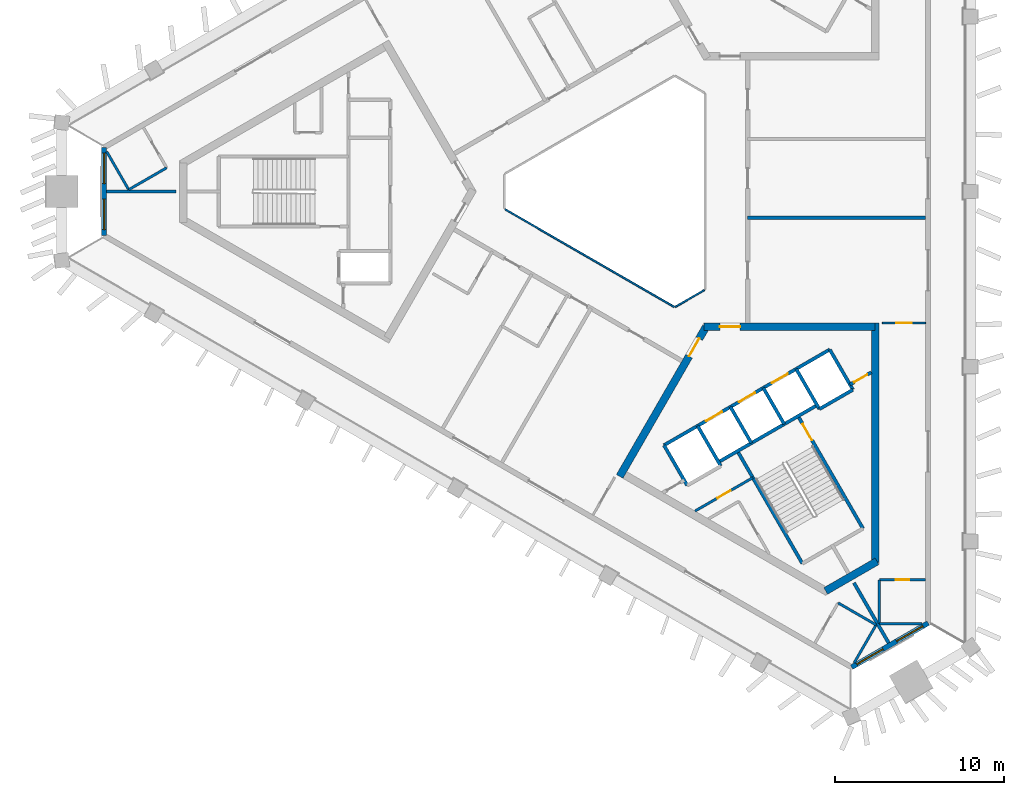
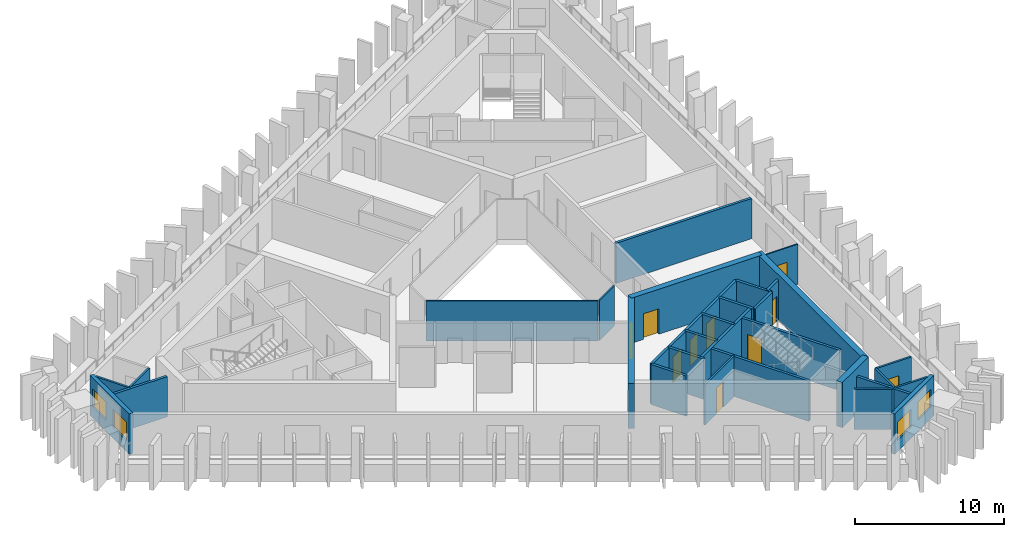
# One storey, part 3 of 9: 32 walls, 10 doors, 4 windows, 14 openings.
"""IFC4 building model written with IfcOpenShell, lengths in metres."""

from ifc_helpers import new_model, si_unit, direction, frame, frame_2d, origin, place, context, subcontext, project, spatial, rectangle, extrude, material, layer, layer_set, type_object, element, fill, save


model = new_model("IFC4")

# Units and contexts
model_context = context("Model", 3, precision=1e-05, world=origin(), true_north=direction((0.0, 1.0)))
body_context = subcontext(model_context, "Body", "Model", "MODEL_VIEW")
ifc_project = project(units=[si_unit("LENGTHUNIT", "METRE"), si_unit("AREAUNIT", "SQUARE_METRE"), si_unit("VOLUMEUNIT", "CUBIC_METRE"), si_unit("PLANEANGLEUNIT", "RADIAN"), si_unit("MASSUNIT", "GRAM", prefix="KILO")], contexts=[model_context])

# Site, building, storey
site_placement = place(None, origin())
site = spatial("IfcSite", under=ifc_project, at=site_placement, CompositionType="ELEMENT")
building_placement = place(site_placement, origin())
building = spatial("IfcBuilding", under=site, at=building_placement, Name="Jabali Bay Hotel Tower and Convention Centre", CompositionType="ELEMENT")
storey_placement = place(building_placement, frame((0.0, 0.0, 213.199951171875)))
storey = spatial("IfcBuildingStorey", under=building, at=storey_placement, Name="L52", CompositionType="ELEMENT", Elevation=213.199951171875)

# Walls
ifc_material_1 = material(Name="Fire-resistant glazing", Category="glass")
ifc_layer_1 = layer(ifc_material_1, 0.10009765625)
ifc_layer_set_1 = layer_set([ifc_layer_1], Name="Fire-resistant glazing")
wall_type_1 = type_object("IfcWallType", Name="Atrium glazed screen 100", PredefinedType="PARTITIONING", material=ifc_layer_set_1)
wall_1_placement = place(storey_placement, frame((67.7021484375, 78.947998046875, 0.0), z_axis=(0.0, 0.0, 1.0), x_axis=(0.866026658274, -0.499997827154, 0.0)))
element("IfcWall", 1, at=wall_1_placement, inside=storey, type_object=wall_type_1, Name="Atrium screen 5 L52", PredefinedType="PARTITIONING", context=body_context, shape_type="SweptSolid", body=[
    extrude(rectangle(XDim=11.58837890625, YDim=0.10009765625, at=frame_2d((5.794189453125, 0.0))), origin(), (0.0, 0.0, 1.0), 3.300048828125),
])
wall_2_placement = place(storey_placement, frame((77.7978515625, 73.15380859375, 0.0), z_axis=(0.0, 0.0, 1.0), x_axis=(0.866041268327, 0.499972520799, 0.0)))
element("IfcWall", 2, at=wall_2_placement, inside=storey, type_object=wall_type_1, Name="Atrium screen 6 L52", PredefinedType="PARTITIONING", context=body_context, shape_type="SweptSolid", body=[
    extrude(rectangle(XDim=2.0, YDim=0.10009765625, at=frame_2d((1.0, 0.0))), origin(), (0.0, 0.0, 1.0), 3.300048828125),
])

# Wall, opening, door
ifc_material_2 = material(Name="Concrete C40", Category="concrete")
ifc_layer_2 = layer(ifc_material_2, 0.199951171875)
ifc_layer_set_2 = layer_set([ifc_layer_2], Name="Concrete C40")
wall_type_2 = type_object("IfcWallType", Name="Core partition wall 200", PredefinedType="PARTITIONING", material=ifc_layer_set_2)
wall_3_placement = place(storey_placement, frame((88.164794921875, 68.548095703125, 0.0), z_axis=(0.0, 0.0, 1.0), x_axis=(0.866013036001, 0.500021421018, 0.0)))
wall_3 = element("IfcWall", 3, at=wall_3_placement, inside=storey, type_object=wall_type_2, Name="Core wall 2.12 L52", PredefinedType="PARTITIONING", context=body_context, shape_type="SweptSolid", body=[
    extrude(rectangle(XDim=1.4609375, YDim=0.199951171875, at=frame_2d((0.73046875, 0.0))), origin(), (0.0, 0.0, 1.0), 3.300048828125),
])
opening_1_placement = place(wall_3_placement, frame((0.280517578125, 0.0, 0.0)))
opening_1 = element("IfcOpeningElement", 4, at=opening_1_placement, cuts=wall_3, Name="Opening D1137", PredefinedType="OPENING", context=body_context, shape_type="SweptSolid", body=[
    extrude(rectangle(XDim=0.89990234375, YDim=2.10009765625, at=frame_2d((0.449951171875, 1.050048828125))), frame((0.0, 0.1103515625, 0.0), z_axis=(0.0, -1.0, 0.0), x_axis=(1.0, 0.0, 0.0)), (0.0, 0.0, 1.0), 0.220947265625),
])
ifc_material_3 = material(Name="Fire-rated steel door", Category="steel")
door_type_1 = type_object("IfcDoorType", Name="Vestibule fire door 900 x 2100", OperationType="NOTDEFINED", PredefinedType="NOTDEFINED", material=ifc_material_3)
door_1_placement = place(opening_1_placement, origin())
door_1 = element("IfcDoor", 5, at=door_1_placement, inside=storey, type_object=door_type_1, Name="Vestibule fire door D1137", OperationType="SINGLE_SWING_LEFT", OverallHeight=2.10009765625, OverallWidth=0.89990234375, PredefinedType="NOTDEFINED", context=body_context, shape_type="SweptSolid", body=[
    extrude(rectangle(XDim=0.89990234375, YDim=2.10009765625, at=frame_2d((0.449951171875, 1.050048828125))), frame((0.0, 0.02490234375, 0.0), z_axis=(0.0, -1.0, 0.0), x_axis=(1.0, 0.0, 0.0)), (0.0, 0.0, 1.0), 0.050048828125),
])
fill(opening_1, door_1)

ifc_material_4 = material(Name="Fire-rated board partition")
ifc_layer_3 = layer(ifc_material_4, 0.14990234375)
ifc_layer_set_3 = layer_set([ifc_layer_3], Name="Fire-rated board partition")
wall_type_3 = type_object("IfcWallType", Name="Core room partition 150", PredefinedType="PARTITIONING", material=ifc_layer_set_3)
wall_4_placement = place(storey_placement, frame((78.969970703125, 61.045654296875, 0.0), z_axis=(0.0, 0.0, 1.0), x_axis=(0.866044057189, 0.499967689963, 0.0)))
wall_4 = element("IfcWall", 6, at=wall_4_placement, inside=storey, type_object=wall_type_3, Name="Core wall 2.16 L52", PredefinedType="PARTITIONING", context=body_context, shape_type="SweptSolid", body=[
    extrude(rectangle(XDim=3.964111328125, YDim=0.14990234375, at=frame_2d((1.98193359375, 0.0))), origin(), (0.0, 0.0, 1.0), 3.300048828125),
])
opening_2_placement = place(wall_4_placement, frame((1.531982421875, 0.0, 0.0)))
opening_2 = element("IfcOpeningElement", 7, at=opening_2_placement, cuts=wall_4, Name="Opening D1136", PredefinedType="OPENING", context=body_context, shape_type="SweptSolid", body=[
    extrude(rectangle(XDim=0.89990234375, YDim=2.10009765625, at=frame_2d((0.449951171875, 1.050048828125))), frame((0.0, 0.08544921875, 0.0), z_axis=(0.0, -1.0, 0.0), x_axis=(1.0, 0.0, 0.0)), (0.0, 0.0, 1.0), 0.1708984375),
])
door_type_2 = type_object("IfcDoorType", Name="Core room door 900 x 2100", OperationType="NOTDEFINED", PredefinedType="NOTDEFINED", material=ifc_material_3)
door_2_placement = place(opening_2_placement, origin())
door_2 = element("IfcDoor", 8, at=door_2_placement, inside=storey, type_object=door_type_2, Name="Core room door D1136", OperationType="SINGLE_SWING_RIGHT", OverallHeight=2.10009765625, OverallWidth=0.89990234375, PredefinedType="NOTDEFINED", context=body_context, shape_type="SweptSolid", body=[
    extrude(rectangle(XDim=0.89990234375, YDim=2.10009765625, at=frame_2d((0.449951171875, 1.050048828125))), frame((0.0, 0.02490234375, 0.0), z_axis=(0.0, -1.0, 0.0), x_axis=(1.0, 0.0, 0.0)), (0.0, 0.0, 1.0), 0.050048828125),
])
fill(opening_2, door_2)

# Walls
ifc_layer_4 = layer(ifc_material_2, 0.199951171875)
ifc_layer_set_4 = layer_set([ifc_layer_4], Name="Concrete C40")
wall_type_4 = type_object("IfcWallType", Name="Core stair wall 200", PredefinedType="SOLIDWALL", material=ifc_layer_set_4)
for number, where, z_axis, x_axis, name in (
    (9, (77.13525390625, 64.95166015625, 0.0), (0.0, 0.0, 1.0), (0.499996545922, -0.866027397988, 0.0), "Core wall 2.0 L52"),
    (10, (79.127197265625, 66.1015625, 0.0), (0.0, 0.0, 1.0), (0.499996545922, -0.866027397988, 0.0), "Core wall 2.2 L52"),
):
    element("IfcWall", number, at=place(storey_placement, frame(where, z_axis=z_axis, x_axis=x_axis)), inside=storey, type_object=wall_type_4, Name=name, PredefinedType="SOLIDWALL", context=body_context, shape_type="SweptSolid", body=[
        extrude(rectangle(XDim=2.75, YDim=0.199951171875, at=frame_2d((1.375, 0.0))), origin(), (0.0, 0.0, 1.0), 3.300048828125),
    ])
wall_5_placement = place(storey_placement, frame((81.492919921875, 64.603759765625, 0.0), z_axis=(0.0, 0.0, 1.0), x_axis=(0.500006057782, -0.866021906294, 0.0)))
element("IfcWall", 11, at=wall_5_placement, inside=storey, type_object=wall_type_4, Name="Core wall 2.3 L52", PredefinedType="SOLIDWALL", context=body_context, shape_type="SweptSolid", body=[
    extrude(rectangle(XDim=7.7001953125, YDim=0.199951171875, at=frame_2d((3.85009765625, 0.0))), origin(), (0.0, 0.0, 1.0), 3.300048828125),
])
for number, where, z_axis, x_axis, name in (
    (12, (81.07568359375, 67.2265625, 0.0), (0.0, 0.0, 1.0), (0.50000366821, -0.866023285932, 0.0), "Core wall 2.4 L52"),
    (13, (83.024169921875, 68.3515625, 0.0), (0.0, 0.0, 1.0), (0.50000366821, -0.866023285932, 0.0), "Core wall 2.6 L52"),
):
    element("IfcWall", number, at=place(storey_placement, frame(where, z_axis=z_axis, x_axis=x_axis)), inside=storey, type_object=wall_type_4, Name=name, PredefinedType="SOLIDWALL", context=body_context, shape_type="SweptSolid", body=[
        extrude(rectangle(XDim=2.47998046875, YDim=0.199951171875, at=frame_2d((1.239990234375, 0.0))), origin(), (0.0, 0.0, 1.0), 3.300048828125),
    ])

# Wall, opening, door
wall_6_placement = place(storey_placement, frame((85.0869140625, 66.6787109375, 0.0), z_axis=(0.0, 0.0, 1.0), x_axis=(0.500019787375, -0.866013979237, 0.0)))
wall_6 = element("IfcWall", 14, at=wall_6_placement, inside=storey, type_object=wall_type_4, Name="Core wall 2.7 L52", PredefinedType="SOLIDWALL", context=body_context, shape_type="SweptSolid", body=[
    extrude(rectangle(XDim=7.699951171875, YDim=0.199951171875, at=frame_2d((3.85009765625, 0.0))), origin(), (0.0, 0.0, 1.0), 3.300048828125),
])
opening_3_placement = place(wall_6_placement, frame((0.550048828125, 0.0, 0.0)))
opening_3 = element("IfcOpeningElement", 15, at=opening_3_placement, cuts=wall_6, Name="Opening D1139", PredefinedType="OPENING", context=body_context, shape_type="SweptSolid", body=[
    extrude(rectangle(XDim=1.10009765625, YDim=2.10009765625, at=frame_2d((0.550048828125, 1.050048828125))), frame((0.0, 0.1103515625, 0.0), z_axis=(0.0, -1.0, 0.0), x_axis=(1.0, 0.0, 0.0)), (0.0, 0.0, 1.0), 0.220947265625),
])
door_type_3 = type_object("IfcDoorType", Name="Stair fire door 1100 x 2100", OperationType="NOTDEFINED", PredefinedType="NOTDEFINED", material=ifc_material_3)
door_3_placement = place(opening_3_placement, origin())
door_3 = element("IfcDoor", 16, at=door_3_placement, inside=storey, type_object=door_type_3, Name="Stair fire door D1139", OperationType="SINGLE_SWING_RIGHT", OverallHeight=2.10009765625, OverallWidth=1.10009765625, PredefinedType="NOTDEFINED", context=body_context, shape_type="SweptSolid", body=[
    extrude(rectangle(XDim=1.10009765625, YDim=2.10009765625, at=frame_2d((0.550048828125, 1.050048828125))), frame((0.0, 0.02490234375, 0.0), z_axis=(0.0, -1.0, 0.0), x_axis=(1.0, 0.0, 0.0)), (0.0, 0.0, 1.0), 0.050048828125),
])
fill(opening_3, door_3)

# Walls
for number, where, z_axis, x_axis, name in (
    (17, (84.972900390625, 69.4765625, 0.0), (0.0, 0.0, 1.0), (0.499996545922, -0.866027397988, 0.0), "Core wall 2.8 L52"),
    (18, (86.964599609375, 70.62646484375, 0.0), (0.0, 0.0, 1.0), (0.499996545922, -0.866027397988, 0.0), "Core wall 2.9 L52"),
):
    element("IfcWall", number, at=place(storey_placement, frame(where, z_axis=z_axis, x_axis=x_axis)), inside=storey, type_object=wall_type_4, Name=name, PredefinedType="SOLIDWALL", context=body_context, shape_type="SweptSolid", body=[
        extrude(rectangle(XDim=2.75, YDim=0.199951171875, at=frame_2d((1.375, 0.0))), origin(), (0.0, 0.0, 1.0), 3.300048828125),
    ])

# Wall, openings, doors
wall_7_placement = place(storey_placement, frame((77.13525390625, 64.95166015625, 0.0), z_axis=(0.0, 0.0, 1.0), x_axis=(0.866031916153, 0.499988720078, 0.0)))
wall_7 = element("IfcWall", 19, at=wall_7_placement, inside=storey, type_object=wall_type_4, Name="Core wall 2.10 L52", PredefinedType="SOLIDWALL", context=body_context, shape_type="SweptSolid", body=[
    extrude(rectangle(XDim=11.349853515625, YDim=0.199951171875, at=frame_2d((5.6748046875, 0.0))), origin(), (0.0, 0.0, 1.0), 3.300048828125),
])
opening_4_placement = place(wall_7_placement, frame((2.875, 0.0, 0.0)))
opening_4 = element("IfcOpeningElement", 20, at=opening_4_placement, cuts=wall_7, Name="Opening LD12-L52", PredefinedType="OPENING", context=body_context, shape_type="SweptSolid", body=[
    extrude(rectangle(XDim=1.10009765625, YDim=2.10009765625, at=frame_2d((0.550048828125, 1.050048828125))), frame((0.0, 0.1103515625, 0.0), z_axis=(0.0, -1.0, 0.0), x_axis=(1.0, 0.0, 0.0)), (0.0, 0.0, 1.0), 0.220947265625),
])
opening_5_placement = place(wall_7_placement, frame((5.125, 0.0, 0.0)))
opening_5 = element("IfcOpeningElement", 21, at=opening_5_placement, cuts=wall_7, Name="Opening LD13-L52", PredefinedType="OPENING", context=body_context, shape_type="SweptSolid", body=[
    extrude(rectangle(XDim=1.10009765625, YDim=2.10009765625, at=frame_2d((0.550048828125, 1.050048828125))), frame((0.0, 0.1103515625, 0.0), z_axis=(0.0, -1.0, 0.0), x_axis=(1.0, 0.0, 0.0)), (0.0, 0.0, 1.0), 0.220947265625),
])
opening_6_placement = place(wall_7_placement, frame((7.375, 0.0, 0.0)))
opening_6 = element("IfcOpeningElement", 22, at=opening_6_placement, cuts=wall_7, Name="Opening LD14-L52", PredefinedType="OPENING", context=body_context, shape_type="SweptSolid", body=[
    extrude(rectangle(XDim=1.10009765625, YDim=2.10009765625, at=frame_2d((0.550048828125, 1.050048828125))), frame((0.0, 0.1103515625, 0.0), z_axis=(0.0, -1.0, 0.0), x_axis=(1.0, 0.0, 0.0)), (0.0, 0.0, 1.0), 0.220947265625),
])
ifc_material_5 = material(Name="Stainless steel landing door", Category="steel")
door_type_4 = type_object("IfcDoorType", Name="Landing door 1100 x 2100", OperationType="NOTDEFINED", PredefinedType="NOTDEFINED", material=ifc_material_5)
door_4_placement = place(opening_4_placement, origin())
door_4 = element("IfcDoor", 23, at=door_4_placement, inside=storey, type_object=door_type_4, Name="Landing doors LD12-L52", OperationType="SLIDING_TO_LEFT", OverallHeight=2.10009765625, OverallWidth=1.10009765625, PredefinedType="NOTDEFINED", context=body_context, shape_type="SweptSolid", body=[
    extrude(rectangle(XDim=1.10009765625, YDim=2.10009765625, at=frame_2d((0.550048828125, 1.050048828125))), frame((0.0, 0.02490234375, 0.0), z_axis=(0.0, -1.0, 0.0), x_axis=(1.0, 0.0, 0.0)), (0.0, 0.0, 1.0), 0.050048828125),
])
fill(opening_4, door_4)
door_5_placement = place(opening_5_placement, origin())
door_5 = element("IfcDoor", 24, at=door_5_placement, inside=storey, type_object=door_type_4, Name="Landing doors LD13-L52", OperationType="SLIDING_TO_RIGHT", OverallHeight=2.10009765625, OverallWidth=1.10009765625, PredefinedType="NOTDEFINED", context=body_context, shape_type="SweptSolid", body=[
    extrude(rectangle(XDim=1.10009765625, YDim=2.10009765625, at=frame_2d((0.550048828125, 1.050048828125))), frame((0.0, 0.02490234375, 0.0), z_axis=(0.0, -1.0, 0.0), x_axis=(1.0, 0.0, 0.0)), (0.0, 0.0, 1.0), 0.050048828125),
])
fill(opening_5, door_5)
door_6_placement = place(opening_6_placement, origin())
door_6 = element("IfcDoor", 25, at=door_6_placement, inside=storey, type_object=door_type_4, Name="Landing doors LD14-L52", OperationType="SLIDING_TO_LEFT", OverallHeight=2.10009765625, OverallWidth=1.10009765625, PredefinedType="NOTDEFINED", context=body_context, shape_type="SweptSolid", body=[
    extrude(rectangle(XDim=1.10009765625, YDim=2.10009765625, at=frame_2d((0.550048828125, 1.050048828125))), frame((0.0, 0.02490234375, 0.0), z_axis=(0.0, -1.0, 0.0), x_axis=(1.0, 0.0, 0.0)), (0.0, 0.0, 1.0), 0.050048828125),
])
fill(opening_6, door_6)

# Walls
wall_8_placement = place(storey_placement, frame((80.3671875, 63.953857421875, 0.0), z_axis=(0.0, 0.0, 1.0), x_axis=(0.866026575979, 0.499997969693, 0.0)))
element("IfcWall", 26, at=wall_8_placement, inside=storey, type_object=wall_type_4, Name="Core wall 2.13 L52", PredefinedType="SOLIDWALL", context=body_context, shape_type="SweptSolid", body=[
    extrude(rectangle(XDim=6.75, YDim=0.199951171875, at=frame_2d((3.375, 0.0))), origin(), (0.0, 0.0, 1.0), 3.300048828125),
])
wall_9_placement = place(storey_placement, frame((86.347900390625, 67.094970703125, 0.0), z_axis=(0.0, 0.0, 1.0), x_axis=(0.86602648383, 0.499998129301, 0.0)))
element("IfcWall", 27, at=wall_9_placement, inside=storey, type_object=wall_type_4, Name="Core wall 2.15 L52", PredefinedType="SOLIDWALL", context=body_context, shape_type="SweptSolid", body=[
    extrude(rectangle(XDim=2.2998046875, YDim=0.199951171875, at=frame_2d((1.14990234375, 0.0))), origin(), (0.0, 0.0, 1.0), 3.300048828125),
])

# Wall, opening, door
ifc_material_6 = material(Name="Concrete C60", Category="concrete")
ifc_layer_5 = layer(ifc_material_6, 0.449951171875)
ifc_layer_set_5 = layer_set([ifc_layer_5], Name="Concrete C60")
wall_type_5 = type_object("IfcWallType", Name="Core wall 450", PredefinedType="SHEAR", material=ifc_layer_set_5)
wall_10_placement = place(storey_placement, frame((79.6298828125, 71.980712890625, 0.0), z_axis=(0.0, 0.0, 1.0), x_axis=(-0.500002171595, -0.86602415001, 0.0)))
wall_10 = element("IfcWall", 28, at=wall_10_placement, inside=storey, type_object=wall_type_5, Name="Core wall 3.1 L52", PredefinedType="SHEAR", context=body_context, shape_type="SweptSolid", body=[
    extrude(rectangle(XDim=10.25, YDim=0.449951171875, at=frame_2d((5.125, 0.0))), origin(), (0.0, 0.0, 1.0), 3.699951171875),
])
opening_7_placement = place(wall_10_placement, frame((0.820068359375, 0.0, 0.0)))
opening_7 = element("IfcOpeningElement", 29, at=opening_7_placement, cuts=wall_10, Name="Opening D1134", PredefinedType="OPENING", context=body_context, shape_type="SweptSolid", body=[
    extrude(rectangle(XDim=1.199951171875, YDim=2.10009765625, at=frame_2d((0.60009765625, 1.050048828125))), frame((0.0, 0.2353515625, 0.0), z_axis=(0.0, -1.0, 0.0), x_axis=(1.0, 0.0, 0.0)), (0.0, 0.0, 1.0), 0.470947265625),
])
door_type_5 = type_object("IfcDoorType", Name="Corridor end fire door 1200 x 2100", OperationType="NOTDEFINED", PredefinedType="NOTDEFINED", material=ifc_material_3)
door_7_placement = place(opening_7_placement, origin())
door_7 = element("IfcDoor", 30, at=door_7_placement, inside=storey, type_object=door_type_5, Name="Corridor end fire door D1134", OperationType="SINGLE_SWING_RIGHT", OverallHeight=2.10009765625, OverallWidth=1.199951171875, PredefinedType="NOTDEFINED", context=body_context, shape_type="SweptSolid", body=[
    extrude(rectangle(XDim=1.199951171875, YDim=2.10009765625, at=frame_2d((0.60009765625, 1.050048828125))), frame((0.0, 0.02490234375, 0.0), z_axis=(0.0, -1.0, 0.0), x_axis=(1.0, 0.0, 0.0)), (0.0, 0.0, 1.0), 0.050048828125),
])
fill(opening_7, door_7)

# Walls
wall_11_placement = place(storey_placement, frame((86.72314453125, 56.3095703125, 0.0), z_axis=(0.0, 0.0, 1.0), x_axis=(0.866042179588, 0.49997094233, 0.0)))
element("IfcWall", 31, at=wall_11_placement, inside=storey, type_object=wall_type_5, Name="Core wall 3.3 L52", PredefinedType="SHEAR", context=body_context, shape_type="SweptSolid", body=[
    extrude(rectangle(XDim=3.515380859375, YDim=0.449951171875, at=frame_2d((1.7578125, 0.0))), origin(), (0.0, 0.0, 1.0), 3.699951171875),
])
wall_12_placement = place(storey_placement, frame((89.655029296875, 58.002197265625, 0.0), z_axis=(0.0, 0.0, 1.0), x_axis=(0.0, 1.0, 0.0)))
element("IfcWall", 32, at=wall_12_placement, inside=storey, type_object=wall_type_5, Name="Core wall 3.4 L52", PredefinedType="SHEAR", context=body_context, shape_type="SweptSolid", body=[
    extrude(rectangle(XDim=14.20361328125, YDim=0.449951171875, at=frame_2d((7.101806640625, 0.0))), origin(), (0.0, 0.0, 1.0), 3.699951171875),
])

# Wall, opening, door
wall_13_placement = place(storey_placement, frame((89.655029296875, 71.980712890625, 0.0), z_axis=(0.0, 0.0, 1.0), x_axis=(-1.0, 0.0, 0.0)))
wall_13 = element("IfcWall", 33, at=wall_13_placement, inside=storey, type_object=wall_type_5, Name="Core wall 3.5 L52", PredefinedType="SHEAR", context=body_context, shape_type="SweptSolid", body=[
    extrude(rectangle(XDim=10.155029296875, YDim=0.449951171875, at=frame_2d((5.07763671875, 0.0))), origin(), (0.0, 0.0, 1.0), 3.699951171875),
])
opening_8_placement = place(wall_13_placement, frame((8.0048828125, 0.0, 0.0)))
opening_8 = element("IfcOpeningElement", 34, at=opening_8_placement, cuts=wall_13, Name="Opening D1135", PredefinedType="OPENING", context=body_context, shape_type="SweptSolid", body=[
    extrude(rectangle(XDim=1.199951171875, YDim=2.10009765625, at=frame_2d((0.60009765625, 1.050048828125))), frame((0.0, 0.2353515625, 0.0), z_axis=(0.0, -1.0, 0.0), x_axis=(1.0, 0.0, 0.0)), (0.0, 0.0, 1.0), 0.470947265625),
])
door_8_placement = place(opening_8_placement, origin())
door_8 = element("IfcDoor", 35, at=door_8_placement, inside=storey, type_object=door_type_5, Name="Corridor end fire door D1135", OperationType="SINGLE_SWING_LEFT", OverallHeight=2.10009765625, OverallWidth=1.199951171875, PredefinedType="NOTDEFINED", context=body_context, shape_type="SweptSolid", body=[
    extrude(rectangle(XDim=1.199951171875, YDim=2.10009765625, at=frame_2d((0.60009765625, 1.050048828125))), frame((0.0, 0.02490234375, 0.0), z_axis=(0.0, -1.0, 0.0), x_axis=(1.0, 0.0, 0.0)), (0.0, 0.0, 1.0), 0.050048828125),
])
fill(opening_8, door_8)

# Wall, openings, windows
ifc_layer_6 = layer(ifc_material_2, 0.300048828125)
ifc_layer_set_6 = layer_set([ifc_layer_6], Name="Concrete C40")
wall_type_6 = type_object("IfcWallType", Name="External wall 300", PredefinedType="SOLIDWALL", material=ifc_layer_set_6)
wall_14_placement = place(storey_placement, frame((43.9326171875, 77.38134765625, 0.0), z_axis=(0.0, 0.0, 1.0), x_axis=(0.0, 1.0, 0.0)))
wall_14 = element("IfcWall", 36, at=wall_14_placement, inside=storey, type_object=wall_type_6, Name="External wall west chamfer L52", PredefinedType="SOLIDWALL", context=body_context, shape_type="SweptSolid", body=[
    extrude(rectangle(XDim=5.2373046875, YDim=0.300048828125, at=frame_2d((2.61865234375, 0.0))), origin(), (0.0, 0.0, 1.0), 3.300048828125),
])
opening_9_placement = place(wall_14_placement, frame((3.089111328125, 0.0, 0.89990234375)))
opening_9 = element("IfcOpeningElement", 37, at=opening_9_placement, cuts=wall_14, Name="Opening W1", PredefinedType="OPENING", context=body_context, shape_type="SweptSolid", body=[
    extrude(rectangle(XDim=1.800048828125, YDim=1.5, at=frame_2d((0.89990234375, 0.75))), frame((0.0, 0.16064453125, 0.0), z_axis=(0.0, -1.0, 0.0), x_axis=(1.0, 0.0, 0.0)), (0.0, 0.0, 1.0), 0.321044921875),
])
opening_10_placement = place(wall_14_placement, frame((0.366455078125, 0.0, 0.89990234375)))
opening_10 = element("IfcOpeningElement", 38, at=opening_10_placement, cuts=wall_14, Name="Opening W1", PredefinedType="OPENING", context=body_context, shape_type="SweptSolid", body=[
    extrude(rectangle(XDim=1.800048828125, YDim=1.5, at=frame_2d((0.89990234375, 0.75))), frame((0.0, 0.16064453125, 0.0), z_axis=(0.0, -1.0, 0.0), x_axis=(1.0, 0.0, 0.0)), (0.0, 0.0, 1.0), 0.321044921875),
])
ifc_material_7 = material(Name="Glass", Category="glass")
window_type = type_object("IfcWindowType", Name="Window 1800 x 1500", PartitioningType="SINGLE_PANEL", PredefinedType="WINDOW", material=ifc_material_7)
window_1_placement = place(opening_9_placement, origin())
window_1 = element("IfcWindow", 39, at=window_1_placement, inside=storey, type_object=window_type, Name="Window 5205", OverallHeight=1.5, OverallWidth=1.800048828125, PartitioningType="SINGLE_PANEL", PredefinedType="WINDOW", context=body_context, shape_type="SweptSolid", body=[
    extrude(rectangle(XDim=1.800048828125, YDim=1.5, at=frame_2d((0.89990234375, 0.75))), frame((0.0, 0.030029296875, 0.0), z_axis=(0.0, -1.0, 0.0), x_axis=(1.0, 0.0, 0.0)), (0.0, 0.0, 1.0), 0.06005859375),
])
fill(opening_9, window_1)
window_2_placement = place(opening_10_placement, origin())
window_2 = element("IfcWindow", 40, at=window_2_placement, inside=storey, type_object=window_type, Name="Window 5206", OverallHeight=1.5, OverallWidth=1.800048828125, PartitioningType="SINGLE_PANEL", PredefinedType="WINDOW", context=body_context, shape_type="SweptSolid", body=[
    extrude(rectangle(XDim=1.800048828125, YDim=1.5, at=frame_2d((0.89990234375, 0.75))), frame((0.0, 0.030029296875, 0.0), z_axis=(0.0, -1.0, 0.0), x_axis=(1.0, 0.0, 0.0)), (0.0, 0.0, 1.0), 0.06005859375),
])
fill(opening_10, window_2)

wall_15_placement = place(storey_placement, frame((92.80126953125, 54.404296875, 0.0), z_axis=(0.0, 0.0, 1.0), x_axis=(-0.866014017669, -0.500019720812, 0.0)))
wall_15 = element("IfcWall", 41, at=wall_15_placement, inside=storey, type_object=wall_type_6, Name="External wall south-east chamfer L52", PredefinedType="SOLIDWALL", context=body_context, shape_type="SweptSolid", body=[
    extrude(rectangle(XDim=5.237060546875, YDim=0.300048828125, at=frame_2d((2.61865234375, 0.0))), origin(), (0.0, 0.0, 1.0), 3.300048828125),
])
opening_11_placement = place(wall_15_placement, frame((0.358154296875, 0.0, 0.89990234375)))
opening_11 = element("IfcOpeningElement", 42, at=opening_11_placement, cuts=wall_15, Name="Opening W1", PredefinedType="OPENING", context=body_context, shape_type="SweptSolid", body=[
    extrude(rectangle(XDim=1.800048828125, YDim=1.5, at=frame_2d((0.89990234375, 0.75))), frame((0.0, 0.16064453125, 0.0), z_axis=(0.0, -1.0, 0.0), x_axis=(1.0, 0.0, 0.0)), (0.0, 0.0, 1.0), 0.321044921875),
])
opening_12_placement = place(wall_15_placement, frame((3.0888671875, 0.0, 0.89990234375)))
opening_12 = element("IfcOpeningElement", 43, at=opening_12_placement, cuts=wall_15, Name="Opening W1", PredefinedType="OPENING", context=body_context, shape_type="SweptSolid", body=[
    extrude(rectangle(XDim=1.800048828125, YDim=1.5, at=frame_2d((0.89990234375, 0.75))), frame((0.0, 0.16064453125, 0.0), z_axis=(0.0, -1.0, 0.0), x_axis=(1.0, 0.0, 0.0)), (0.0, 0.0, 1.0), 0.321044921875),
])
window_3_placement = place(opening_11_placement, origin())
window_3 = element("IfcWindow", 44, at=window_3_placement, inside=storey, type_object=window_type, Name="Window 5201", OverallHeight=1.5, OverallWidth=1.800048828125, PartitioningType="SINGLE_PANEL", PredefinedType="WINDOW", context=body_context, shape_type="SweptSolid", body=[
    extrude(rectangle(XDim=1.800048828125, YDim=1.5, at=frame_2d((0.89990234375, 0.75))), frame((0.0, 0.030029296875, 0.0), z_axis=(0.0, -1.0, 0.0), x_axis=(1.0, 0.0, 0.0)), (0.0, 0.0, 1.0), 0.06005859375),
])
fill(opening_11, window_3)
window_4_placement = place(opening_12_placement, origin())
window_4 = element("IfcWindow", 45, at=window_4_placement, inside=storey, type_object=window_type, Name="Window 5208", OverallHeight=1.5, OverallWidth=1.800048828125, PartitioningType="SINGLE_PANEL", PredefinedType="WINDOW", context=body_context, shape_type="SweptSolid", body=[
    extrude(rectangle(XDim=1.800048828125, YDim=1.5, at=frame_2d((0.89990234375, 0.75))), frame((0.0, 0.030029296875, 0.0), z_axis=(0.0, -1.0, 0.0), x_axis=(1.0, 0.0, 0.0)), (0.0, 0.0, 1.0), 0.06005859375),
])
fill(opening_12, window_4)

# Wall, opening, door
ifc_material_8 = material(Name="Plasterboard on steel stud", Category="steel")
ifc_layer_7 = layer(ifc_material_8, 0.10009765625)
ifc_layer_set_7 = layer_set([ifc_layer_7], Name="Plasterboard on steel stud")
wall_type_7 = type_object("IfcWallType", Name="Partition 100 unit", PredefinedType="PARTITIONING", material=ifc_layer_set_7)
wall_16_placement = place(storey_placement, frame((90.0791015625, 72.205810546875, 0.0), z_axis=(0.0, 0.0, 1.0), x_axis=(1.0, 0.0, 0.0)))
wall_16 = element("IfcWall", 46, at=wall_16_placement, inside=storey, type_object=wall_type_7, Name="Partition P02 L52 001", PredefinedType="PARTITIONING", context=body_context, shape_type="SweptSolid", body=[
    extrude(rectangle(XDim=2.5732421875, YDim=0.10009765625, at=frame_2d((1.28662109375, 0.0))), origin(), (0.0, 0.0, 1.0), 3.300048828125),
])
opening_13_placement = place(wall_16_placement, frame((0.8369140625, 0.0, 0.0)))
opening_13 = element("IfcOpeningElement", 47, at=opening_13_placement, cuts=wall_16, Name="Opening 5202", PredefinedType="OPENING", context=body_context, shape_type="SweptSolid", body=[
    extrude(rectangle(XDim=0.89990234375, YDim=2.10009765625, at=frame_2d((0.449951171875, 1.050048828125))), frame((0.0, 0.060546875, 0.0), z_axis=(0.0, -1.0, 0.0), x_axis=(1.0, 0.0, 0.0)), (0.0, 0.0, 1.0), 0.12109375),
])
ifc_material_9 = material(Name="Timber", Category="wood")
door_type_6 = type_object("IfcDoorType", Name="Internal door 900 x 2100", OperationType="NOTDEFINED", PredefinedType="NOTDEFINED", material=ifc_material_9)
door_9_placement = place(opening_13_placement, origin())
door_9 = element("IfcDoor", 48, at=door_9_placement, inside=storey, type_object=door_type_6, Name="Door 5202", OperationType="SINGLE_SWING_RIGHT", OverallHeight=2.10009765625, OverallWidth=0.89990234375, PredefinedType="NOTDEFINED", context=body_context, shape_type="SweptSolid", body=[
    extrude(rectangle(XDim=0.89990234375, YDim=2.10009765625, at=frame_2d((0.449951171875, 1.050048828125))), frame((0.0, 0.02490234375, 0.0), z_axis=(0.0, -1.0, 0.0), x_axis=(1.0, 0.0, 0.0)), (0.0, 0.0, 1.0), 0.050048828125),
])
fill(opening_13, door_9)

# Walls
ifc_layer_8 = layer(ifc_material_8, 0.14990234375)
ifc_layer_set_8 = layer_set([ifc_layer_8], Name="Plasterboard on steel stud")
wall_type_8 = type_object("IfcWallType", Name="Partition 150 wet", PredefinedType="PARTITIONING", material=ifc_layer_set_8)
wall_17_placement = place(storey_placement, frame((92.435546875, 54.364990234375, 0.0), z_axis=(0.0, 0.0, 1.0), x_axis=(-1.0, 0.0, 0.0)))
element("IfcWall", 49, at=wall_17_placement, inside=storey, type_object=wall_type_8, Name="Partition P03 L52 003", PredefinedType="PARTITIONING", context=body_context, shape_type="SweptSolid", body=[
    extrude(rectangle(XDim=2.533935546875, YDim=0.14990234375, at=frame_2d((1.26708984375, 0.0))), origin(), (0.0, 0.0, 1.0), 3.300048828125),
])
wall_18_placement = place(storey_placement, frame((89.901611328125, 54.364990234375, 0.0), z_axis=(0.0, 0.0, 1.0), x_axis=(0.0, 1.0, 0.0)))
element("IfcWall", 50, at=wall_18_placement, inside=storey, type_object=wall_type_8, Name="Partition P03 L52 004", PredefinedType="PARTITIONING", context=body_context, shape_type="SweptSolid", body=[
    extrude(rectangle(XDim=2.60009765625, YDim=0.14990234375, at=frame_2d((1.300048828125, 0.0))), origin(), (0.0, 0.0, 1.0), 3.300048828125),
])

# Wall, opening, door
wall_19_placement = place(storey_placement, frame((89.901611328125, 56.965087890625, 0.0), z_axis=(0.0, 0.0, 1.0), x_axis=(1.0, 0.0, 0.0)))
wall_19 = element("IfcWall", 51, at=wall_19_placement, inside=storey, type_object=wall_type_8, Name="Partition P03 L52 005", PredefinedType="PARTITIONING", context=body_context, shape_type="SweptSolid", body=[
    extrude(rectangle(XDim=2.750732421875, YDim=0.14990234375, at=frame_2d((1.37548828125, 0.0))), origin(), (0.0, 0.0, 1.0), 3.300048828125),
])
opening_14_placement = place(wall_19_placement, frame((0.97509765625, 0.0, 0.0)))
opening_14 = element("IfcOpeningElement", 52, at=opening_14_placement, cuts=wall_19, Name="Opening 5203", PredefinedType="OPENING", context=body_context, shape_type="SweptSolid", body=[
    extrude(rectangle(XDim=0.800048828125, YDim=2.10009765625, at=frame_2d((0.39990234375, 1.050048828125))), frame((0.0, 0.08544921875, 0.0), z_axis=(0.0, -1.0, 0.0), x_axis=(1.0, 0.0, 0.0)), (0.0, 0.0, 1.0), 0.1708984375),
])
door_type_7 = type_object("IfcDoorType", Name="En-suite door 800 x 2100", OperationType="NOTDEFINED", PredefinedType="NOTDEFINED", material=ifc_material_9)
door_10_placement = place(opening_14_placement, origin())
door_10 = element("IfcDoor", 53, at=door_10_placement, inside=storey, type_object=door_type_7, Name="Door 5203", OperationType="SINGLE_SWING_RIGHT", OverallHeight=2.10009765625, OverallWidth=0.800048828125, PredefinedType="NOTDEFINED", context=body_context, shape_type="SweptSolid", body=[
    extrude(rectangle(XDim=0.800048828125, YDim=2.10009765625, at=frame_2d((0.39990234375, 1.050048828125))), frame((0.0, 0.02490234375, 0.0), z_axis=(0.0, -1.0, 0.0), x_axis=(1.0, 0.0, 0.0)), (0.0, 0.0, 1.0), 0.050048828125),
])
fill(opening_14, door_10)

# Walls
wall_20_placement = place(storey_placement, frame((47.6357421875, 81.407958984375, 0.0), z_axis=(0.0, 0.0, 1.0), x_axis=(-0.866021400173, -0.500006934395, 0.0)))
element("IfcWall", 54, at=wall_20_placement, inside=storey, type_object=wall_type_8, Name="Partition P03 L52 019", PredefinedType="PARTITIONING", context=body_context, shape_type="SweptSolid", body=[
    extrude(rectangle(XDim=2.60009765625, YDim=0.14990234375, at=frame_2d((1.300048828125, 0.0))), origin(), (0.0, 0.0, 1.0), 3.300048828125),
])
wall_21_placement = place(storey_placement, frame((45.384033203125, 80.10791015625, 0.0), z_axis=(0.0, 0.0, 1.0), x_axis=(-0.499949632511, 0.866054481515, 0.0)))
element("IfcWall", 55, at=wall_21_placement, inside=storey, type_object=wall_type_8, Name="Partition P03 L52 020", PredefinedType="PARTITIONING", context=body_context, shape_type="SweptSolid", body=[
    extrude(rectangle(XDim=2.604736328125, YDim=0.14990234375, at=frame_2d((1.30224609375, 0.0))), origin(), (0.0, 0.0, 1.0), 3.300048828125),
])
wall_22_placement = place(storey_placement, frame((87.462890625, 55.59765625, 0.0), z_axis=(0.0, 0.0, 1.0), x_axis=(0.866062058628, -0.499936506574, 0.0)))
element("IfcWall", 56, at=wall_22_placement, inside=storey, type_object=wall_type_8, Name="Partition P03 L52 031", PredefinedType="PARTITIONING", context=body_context, shape_type="SweptSolid", body=[
    extrude(rectangle(XDim=2.599853515625, YDim=0.14990234375, at=frame_2d((1.2998046875, 0.0))), origin(), (0.0, 0.0, 1.0), 3.300048828125),
])
wall_23_placement = place(storey_placement, frame((89.714599609375, 54.2978515625, 0.0), z_axis=(0.0, 0.0, 1.0), x_axis=(-0.50006051662, -0.865990461678, 0.0)))
element("IfcWall", 57, at=wall_23_placement, inside=storey, type_object=wall_type_8, Name="Partition P03 L52 032", PredefinedType="PARTITIONING", context=body_context, shape_type="SweptSolid", body=[
    extrude(rectangle(XDim=2.604736328125, YDim=0.14990234375, at=frame_2d((1.30224609375, 0.0))), origin(), (0.0, 0.0, 1.0), 3.300048828125),
])
ifc_layer_9 = layer(ifc_material_8, 0.199951171875)
ifc_layer_set_9 = layer_set([ifc_layer_9], Name="Plasterboard on steel stud")
wall_type_9 = type_object("IfcWallType", Name="Partition 200 party", PredefinedType="PARTITIONING", material=ifc_layer_set_9)
wall_24_placement = place(storey_placement, frame((92.65234375, 78.441162109375, 0.0), z_axis=(0.0, 0.0, 1.0), x_axis=(-1.0, 0.0, 0.0)))
element("IfcWall", 58, at=wall_24_placement, inside=storey, type_object=wall_type_9, Name="Partition P01 L52 002", PredefinedType="PARTITIONING", context=body_context, shape_type="SweptSolid", body=[
    extrude(rectangle(XDim=10.55224609375, YDim=0.199951171875, at=frame_2d((5.276123046875, 0.0))), origin(), (0.0, 0.0, 1.0), 3.300048828125),
])
wall_25_placement = place(storey_placement, frame((88.401123046875, 56.788818359375, 0.0), z_axis=(0.0, 0.0, 1.0), x_axis=(0.499979154163, -0.8660374388, 0.0)))
element("IfcWall", 59, at=wall_25_placement, inside=storey, type_object=wall_type_9, Name="Partition P01 L52 006", PredefinedType="PARTITIONING", context=body_context, shape_type="SweptSolid", body=[
    extrude(rectangle(XDim=4.116455078125, YDim=0.199951171875, at=frame_2d((2.05810546875, 0.0))), origin(), (0.0, 0.0, 1.0), 3.300048828125),
])
wall_26_placement = place(storey_placement, frame((44.081787109375, 80.0009765625, 0.0), z_axis=(0.0, 0.0, 1.0), x_axis=(1.0, 0.0, 0.0)))
element("IfcWall", 60, at=wall_26_placement, inside=storey, type_object=wall_type_9, Name="Partition P01 L52 021", PredefinedType="PARTITIONING", context=body_context, shape_type="SweptSolid", body=[
    extrude(rectangle(XDim=4.1162109375, YDim=0.199951171875, at=frame_2d((2.05810546875, 0.0))), origin(), (0.0, 0.0, 1.0), 3.300048828125),
])

save(model, "model.ifc")
